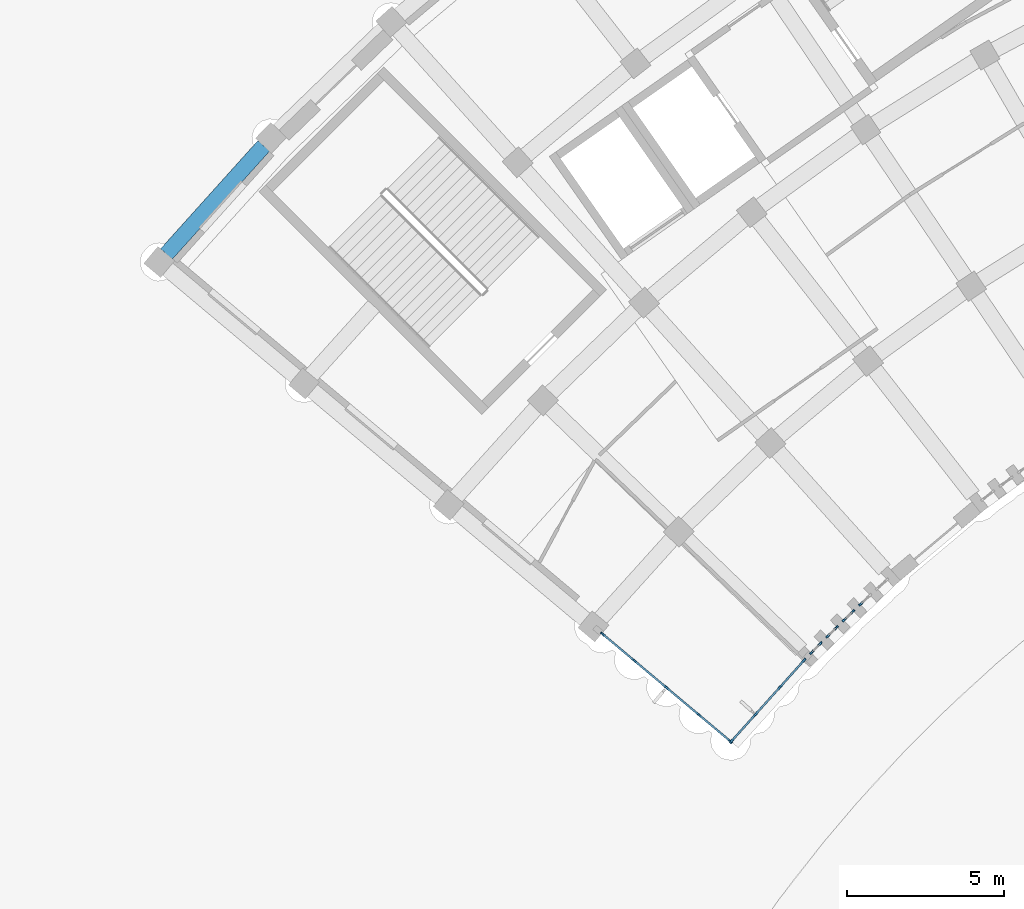
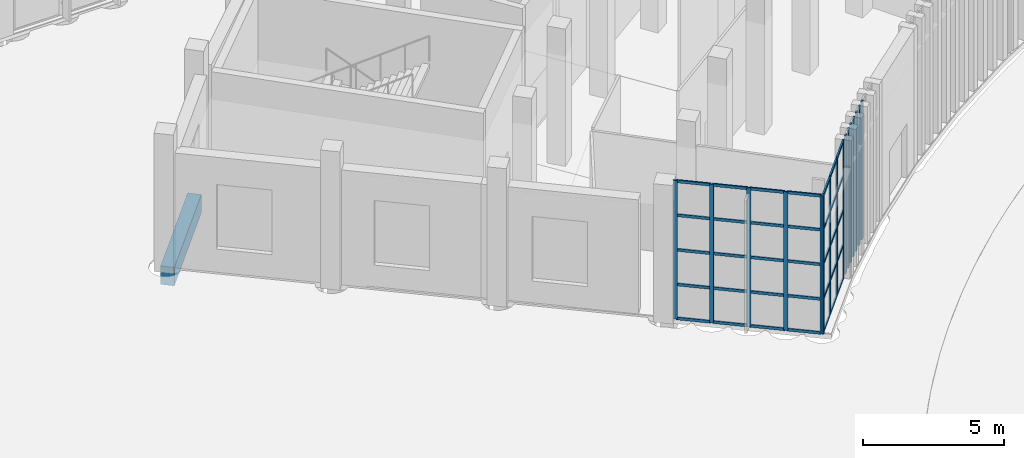
# One storey, part 21 of 155: 51 members, 1 beam, 6 elements without a shape of their own.
"""IFC4 building model written with IfcOpenShell, lengths in metres."""

from ifc_helpers import new_model, si_unit, direction, frame, origin, origin_2d, place, context, subcontext, project, spatial, rectangle, extrude, material, layer, layer_set, material_profile, profile_set, type_object, element, aggregate, save


model = new_model("IFC4")

# Units and contexts
model_context = context("Model", 3, precision=1e-05, world=origin(), true_north=direction((0.0, 1.0)))
body_context = subcontext(model_context, "Body", "Model", "MODEL_VIEW")
ifc_project = project(units=[si_unit("LENGTHUNIT", "METRE"), si_unit("AREAUNIT", "SQUARE_METRE"), si_unit("VOLUMEUNIT", "CUBIC_METRE"), si_unit("PLANEANGLEUNIT", "RADIAN"), si_unit("MASSUNIT", "GRAM", prefix="KILO")], contexts=[model_context])

# Site, building, storey
site_placement = place(None, origin())
site = spatial("IfcSite", under=ifc_project, at=site_placement, CompositionType="ELEMENT")
building_placement = place(site_placement, origin())
building = spatial("IfcBuilding", under=site, at=building_placement, Name="Lunette Opera House", CompositionType="ELEMENT")
storey_placement = place(building_placement, origin())
storey = spatial("IfcBuildingStorey", under=building, at=storey_placement, Name="L00", CompositionType="ELEMENT", Elevation=0.0)

# Curtain wall, members
ifc_material_1 = material(Name="Aluminium", Category="aluminium")
ifc_layer_1 = layer(ifc_material_1, 0.1201171875)
ifc_layer_set_1 = layer_set([ifc_layer_1], Name="Aluminium")
curtain_wall_type_1 = type_object("IfcCurtainWallType", Name="SLOT CURTAIN WALL", PredefinedType="NOTDEFINED", material=ifc_layer_set_1)
curtain_wall_1_placement = place(storey_placement, origin())
curtain_wall_1 = element("IfcCurtainWall", 1, at=curtain_wall_1_placement, inside=storey, type_object=curtain_wall_type_1, Name="Slot Curtain Wall CS001 L00", PredefinedType="NOTDEFINED")
ifc_material_2 = material(Name="Aluminium", Category="aluminium")
ifc_material_profile_1 = material_profile(ifc_material_2, rectangle(XDim=0.06005859375, YDim=0.159912109375, at=origin_2d()), Name="MULLION 60 X 160")
ifc_profile_set_1 = profile_set([ifc_material_profile_1], Name="Aluminium")
member_type_1 = type_object("IfcMemberType", Name="MULLION 60 X 160", PredefinedType="MULLION", material=ifc_profile_set_1)
member_1_placement = place(storey_placement, frame((58.50390625, 36.45947265625, 0.0), z_axis=(0.0, 0.0, 1.0), x_axis=(-0.715187202406, 0.698932947796, 0.0)))
member_1 = element("IfcMember", 2, at=member_1_placement, type_object=member_type_1, Name="FC-X2001 mullion 1", PredefinedType="MULLION", context=body_context, shape_type="SweptSolid", body=[
    extrude(rectangle(XDim=0.06005859375, YDim=0.159912109375, at=origin_2d()), origin(), (0.0, 0.0, 1.0), 6.0),
])
member_2_placement = place(storey_placement, frame((58.762939453125, 36.724609375, 0.0), z_axis=(0.0, 0.0, 1.0), x_axis=(-0.715187202406, 0.698932947796, 0.0)))
member_2 = element("IfcMember", 3, at=member_2_placement, type_object=member_type_1, Name="FC-X2001 mullion 2", PredefinedType="MULLION", context=body_context, shape_type="SweptSolid", body=[
    extrude(rectangle(XDim=0.06005859375, YDim=0.159912109375, at=origin_2d()), origin(), (0.0, 0.0, 1.0), 6.0),
])
aggregate(curtain_wall_1, [member_1, member_2])

curtain_wall_2_placement = place(storey_placement, origin())
curtain_wall_2 = element("IfcCurtainWall", 4, at=curtain_wall_2_placement, inside=storey, type_object=curtain_wall_type_1, Name="Slot Curtain Wall CS002 L00", PredefinedType="NOTDEFINED")
member_3_placement = place(storey_placement, frame((59.016357421875, 36.980224609375, 0.0), z_axis=(0.0, 0.0, 1.0), x_axis=(-0.703614959454, 0.710581444194, 0.0)))
member_3 = element("IfcMember", 5, at=member_3_placement, type_object=member_type_1, Name="FC-X2003 mullion 1", PredefinedType="MULLION", context=body_context, shape_type="SweptSolid", body=[
    extrude(rectangle(XDim=0.06005859375, YDim=0.159912109375, at=origin_2d()), origin(), (0.0, 0.0, 1.0), 6.0),
])
member_4_placement = place(storey_placement, frame((59.27978515625, 37.240966796875, 0.0), z_axis=(0.0, 0.0, 1.0), x_axis=(-0.703614959454, 0.710581444194, 0.0)))
member_4 = element("IfcMember", 6, at=member_4_placement, type_object=member_type_1, Name="FC-X2003 mullion 2", PredefinedType="MULLION", context=body_context, shape_type="SweptSolid", body=[
    extrude(rectangle(XDim=0.06005859375, YDim=0.159912109375, at=origin_2d()), origin(), (0.0, 0.0, 1.0), 6.0),
])
aggregate(curtain_wall_2, [member_3, member_4])

curtain_wall_3_placement = place(storey_placement, origin())
curtain_wall_3 = element("IfcCurtainWall", 7, at=curtain_wall_3_placement, inside=storey, type_object=curtain_wall_type_1, Name="Slot Curtain Wall CS003 L00", PredefinedType="NOTDEFINED")
member_5_placement = place(storey_placement, frame((59.53662109375, 37.492919921875, 0.0), z_axis=(0.0, 0.0, 1.0), x_axis=(-0.695382685751, 0.718639631775, 0.0)))
member_5 = element("IfcMember", 8, at=member_5_placement, type_object=member_type_1, Name="FC-X2005 mullion 1", PredefinedType="MULLION", context=body_context, shape_type="SweptSolid", body=[
    extrude(rectangle(XDim=0.06005859375, YDim=0.159912109375, at=origin_2d()), origin(), (0.0, 0.0, 1.0), 6.0),
])
member_6_placement = place(storey_placement, frame((59.802490234375, 37.750244140625, 0.0), z_axis=(0.0, 0.0, 1.0), x_axis=(-0.695382685751, 0.718639631775, 0.0)))
member_6 = element("IfcMember", 9, at=member_6_placement, type_object=member_type_1, Name="FC-X2005 mullion 2", PredefinedType="MULLION", context=body_context, shape_type="SweptSolid", body=[
    extrude(rectangle(XDim=0.06005859375, YDim=0.159912109375, at=origin_2d()), origin(), (0.0, 0.0, 1.0), 6.0),
])
aggregate(curtain_wall_3, [member_5, member_6])

# Curtain wall, member
curtain_wall_4_placement = place(storey_placement, origin())
curtain_wall_4 = element("IfcCurtainWall", 10, at=curtain_wall_4_placement, inside=storey, type_object=curtain_wall_type_1, Name="Slot Curtain Wall CS004 L00", PredefinedType="NOTDEFINED")
member_7_placement = place(storey_placement, frame((60.063720703125, 37.99755859375, 0.0), z_axis=(0.0, 0.0, 1.0), x_axis=(-0.685872190933, 0.727722019527, 0.0)))
member_7 = element("IfcMember", 11, at=member_7_placement, type_object=member_type_1, Name="FC-X2007 mullion 1", PredefinedType="MULLION", context=body_context, shape_type="SweptSolid", body=[
    extrude(rectangle(XDim=0.06005859375, YDim=0.159912109375, at=origin_2d()), origin(), (0.0, 0.0, 1.0), 6.0),
])
aggregate(curtain_wall_4, [member_7])

# Curtain wall, members
ifc_material_3 = material(Name="Aluminium", Category="aluminium")
ifc_layer_2 = layer(ifc_material_3, 0.159912109375)
ifc_layer_set_2 = layer_set([ifc_layer_2], Name="Aluminium")
curtain_wall_type_2 = type_object("IfcCurtainWallType", Name="CORNER CURTAIN WALL", PredefinedType="NOTDEFINED", material=ifc_layer_set_2)
curtain_wall_5_placement = place(storey_placement, origin())
curtain_wall_5 = element("IfcCurtainWall", 12, at=curtain_wall_5_placement, inside=storey, type_object=curtain_wall_type_2, Name="Corner Curtain Wall GC-W1 L00", PredefinedType="NOTDEFINED")
member_8_placement = place(storey_placement, frame((58.25390625, 36.20068359375, 0.0), z_axis=(0.0, 0.0, 1.0), x_axis=(0.744216793887, -0.667938143615, 0.0)))
member_8 = element("IfcMember", 13, at=member_8_placement, type_object=member_type_1, Name="FC-X2161 mullion 1", PredefinedType="MULLION", context=body_context, shape_type="SweptSolid", body=[
    extrude(rectangle(XDim=0.06005859375, YDim=0.159912109375, at=origin_2d()), origin(), (0.0, 0.0, 1.0), 6.0),
])
member_9_placement = place(storey_placement, frame((57.49462890625, 35.354736328125, 0.0), z_axis=(0.0, 0.0, 1.0), x_axis=(0.744216793887, -0.667938143615, 0.0)))
member_9 = element("IfcMember", 14, at=member_9_placement, type_object=member_type_1, Name="FC-X2161 mullion 2", PredefinedType="MULLION", context=body_context, shape_type="SweptSolid", body=[
    extrude(rectangle(XDim=0.06005859375, YDim=0.159912109375, at=origin_2d()), origin(), (0.0, 0.0, 1.0), 6.0),
])
member_10_placement = place(storey_placement, frame((56.71533203125, 34.486328125, 0.0), z_axis=(0.0, 0.0, 1.0), x_axis=(0.744216793887, -0.667938143615, 0.0)))
member_10 = element("IfcMember", 15, at=member_10_placement, type_object=member_type_1, Name="FC-X2161 mullion 3", PredefinedType="MULLION", context=body_context, shape_type="SweptSolid", body=[
    extrude(rectangle(XDim=0.06005859375, YDim=0.159912109375, at=origin_2d()), origin(), (0.0, 0.0, 1.0), 6.0),
])
member_11_placement = place(storey_placement, frame((55.9560546875, 33.640380859375, 0.0), z_axis=(0.0, 0.0, 1.0), x_axis=(0.744216793887, -0.667938143615, 0.0)))
member_11 = element("IfcMember", 16, at=member_11_placement, type_object=member_type_1, Name="FC-X2161 mullion 4", PredefinedType="MULLION", context=body_context, shape_type="SweptSolid", body=[
    extrude(rectangle(XDim=0.06005859375, YDim=0.159912109375, at=origin_2d()), origin(), (0.0, 0.0, 1.0), 6.0),
])

curtain_wall_6_placement = place(storey_placement, origin())
curtain_wall_6 = element("IfcCurtainWall", 17, at=curtain_wall_6_placement, inside=storey, type_object=curtain_wall_type_2, Name="Corner Curtain Wall GC-W2 L00", PredefinedType="NOTDEFINED")
member_12_placement = place(storey_placement, frame((55.9130859375, 33.63720703125, 0.0), z_axis=(0.0, 0.0, 1.0), x_axis=(-0.64282816277, -0.766010413212, 0.0)))
member_12 = element("IfcMember", 18, at=member_12_placement, type_object=member_type_1, Name="FC-X2162 mullion 1", PredefinedType="MULLION", context=body_context, shape_type="SweptSolid", body=[
    extrude(rectangle(XDim=0.06005859375, YDim=0.159912109375, at=origin_2d()), origin(), (0.0, 0.0, 1.0), 6.0),
])
member_13_placement = place(storey_placement, frame((54.91162109375, 34.477783203125, 0.0), z_axis=(0.0, 0.0, 1.0), x_axis=(-0.64282816277, -0.766010413212, 0.0)))
member_13 = element("IfcMember", 19, at=member_13_placement, type_object=member_type_1, Name="FC-X2162 mullion 2", PredefinedType="MULLION", context=body_context, shape_type="SweptSolid", body=[
    extrude(rectangle(XDim=0.06005859375, YDim=0.159912109375, at=origin_2d()), origin(), (0.0, 0.0, 1.0), 6.0),
])
member_14_placement = place(storey_placement, frame((53.886962890625, 35.33740234375, 0.0), z_axis=(0.0, 0.0, 1.0), x_axis=(-0.64282816277, -0.766010413212, 0.0)))
member_14 = element("IfcMember", 20, at=member_14_placement, type_object=member_type_1, Name="FC-X2162 mullion 3", PredefinedType="MULLION", context=body_context, shape_type="SweptSolid", body=[
    extrude(rectangle(XDim=0.06005859375, YDim=0.159912109375, at=origin_2d()), origin(), (0.0, 0.0, 1.0), 6.0),
])
member_15_placement = place(storey_placement, frame((52.862548828125, 36.197265625, 0.0), z_axis=(0.0, 0.0, 1.0), x_axis=(-0.64282816277, -0.766010413212, 0.0)))
member_15 = element("IfcMember", 21, at=member_15_placement, type_object=member_type_1, Name="FC-X2162 mullion 4", PredefinedType="MULLION", context=body_context, shape_type="SweptSolid", body=[
    extrude(rectangle(XDim=0.06005859375, YDim=0.159912109375, at=origin_2d()), origin(), (0.0, 0.0, 1.0), 6.0),
])
member_16_placement = place(storey_placement, frame((51.861083984375, 37.03759765625, 0.0), z_axis=(0.0, 0.0, 1.0), x_axis=(-0.64282816277, -0.766010413212, 0.0)))
member_16 = element("IfcMember", 22, at=member_16_placement, type_object=member_type_1, Name="FC-X2162 mullion 5", PredefinedType="MULLION", context=body_context, shape_type="SweptSolid", body=[
    extrude(rectangle(XDim=0.06005859375, YDim=0.159912109375, at=origin_2d()), origin(), (0.0, 0.0, 1.0), 6.0),
])

# Beam
ifc_material_4 = material(Name="Concrete C35/45", Category="concrete")
ifc_material_profile_2 = material_profile(ifc_material_4, rectangle(XDim=0.5, YDim=0.800048828125, at=origin_2d()), Name="RC BEAM 500X800")
ifc_profile_set_2 = profile_set([ifc_material_profile_2], Name="Concrete C35/45")
beam_type = type_object("IfcBeamType", Name="RC BEAM 500X800", PredefinedType="BEAM", material=ifc_profile_set_2)
beam_placement = place(storey_placement, frame((38.009033203125, 49.10498046875, -0.6201171875), z_axis=(0.669034751379, 0.743231122496, 0.0), x_axis=(-0.743231122496, 0.669034751379, 0.0)))
element("IfcBeam", 23, at=beam_placement, inside=storey, type_object=beam_type, Name="beam-FC-L00-L00-RG-AR-C-RL-01", PredefinedType="BEAM", context=body_context, shape_type="SweptSolid", body=[
    extrude(rectangle(XDim=0.5, YDim=0.800048828125, at=origin_2d()), origin(), (0.0, 0.0, 1.0), 4.623046875),
])

# Member
ifc_material_5 = material(Name="Aluminium", Category="aluminium")
ifc_material_profile_3 = material_profile(ifc_material_5, rectangle(XDim=0.06005859375, YDim=0.1201171875, at=origin_2d()), Name="TRANSOM 60 X 120")
ifc_profile_set_3 = profile_set([ifc_material_profile_3], Name="Aluminium")
member_type_2 = type_object("IfcMemberType", Name="TRANSOM 60 X 120", PredefinedType="USERDEFINED", material=ifc_profile_set_3)
member_17_placement = place(storey_placement, frame((58.23388671875, 36.178466796875, 0.030029296875), z_axis=(-0.667874323451, -0.744274067851, 0.0), x_axis=(0.744274067851, -0.667874323451, 0.0)))
member_17 = element("IfcMember", 24, at=member_17_placement, type_object=member_type_2, Name="FC-X2161 transom 1.1", ObjectType="TRANSOM", PredefinedType="USERDEFINED", context=body_context, shape_type="SweptSolid", body=[
    extrude(rectangle(XDim=0.06005859375, YDim=0.1201171875, at=origin_2d()), origin(), (0.0, 0.0, 1.0), 1.076904296875),
])

member_18_placement = place(storey_placement, frame((58.23388671875, 36.178466796875, 1.5), z_axis=(-0.667874323451, -0.744274067851, 0.0), x_axis=(0.744274067851, -0.667874323451, 0.0)))
member_18 = element("IfcMember", 25, at=member_18_placement, type_object=member_type_2, Name="FC-X2161 transom 1.2", ObjectType="TRANSOM", PredefinedType="USERDEFINED", context=body_context, shape_type="SweptSolid", body=[
    extrude(rectangle(XDim=0.06005859375, YDim=0.1201171875, at=origin_2d()), origin(), (0.0, 0.0, 1.0), 1.076904296875),
])

member_19_placement = place(storey_placement, frame((58.23388671875, 36.178466796875, 3.0), z_axis=(-0.667874323451, -0.744274067851, 0.0), x_axis=(0.744274067851, -0.667874323451, 0.0)))
member_19 = element("IfcMember", 26, at=member_19_placement, type_object=member_type_2, Name="FC-X2161 transom 1.3", ObjectType="TRANSOM", PredefinedType="USERDEFINED", context=body_context, shape_type="SweptSolid", body=[
    extrude(rectangle(XDim=0.06005859375, YDim=0.1201171875, at=origin_2d()), origin(), (0.0, 0.0, 1.0), 1.076904296875),
])

member_20_placement = place(storey_placement, frame((58.23388671875, 36.178466796875, 4.5), z_axis=(-0.667874323451, -0.744274067851, 0.0), x_axis=(0.744274067851, -0.667874323451, 0.0)))
member_20 = element("IfcMember", 27, at=member_20_placement, type_object=member_type_2, Name="FC-X2161 transom 1.4", ObjectType="TRANSOM", PredefinedType="USERDEFINED", context=body_context, shape_type="SweptSolid", body=[
    extrude(rectangle(XDim=0.06005859375, YDim=0.1201171875, at=origin_2d()), origin(), (0.0, 0.0, 1.0), 1.076904296875),
])

member_21_placement = place(storey_placement, frame((58.23388671875, 36.178466796875, 5.969970703125), z_axis=(-0.667874323451, -0.744274067851, 0.0), x_axis=(0.744274067851, -0.667874323451, 0.0)))
member_21 = element("IfcMember", 28, at=member_21_placement, type_object=member_type_2, Name="FC-X2161 transom 1.5", ObjectType="TRANSOM", PredefinedType="USERDEFINED", context=body_context, shape_type="SweptSolid", body=[
    extrude(rectangle(XDim=0.06005859375, YDim=0.1201171875, at=origin_2d()), origin(), (0.0, 0.0, 1.0), 1.076904296875),
])

member_22_placement = place(storey_placement, frame((57.474609375, 35.332275390625, 0.030029296875), z_axis=(-0.667916007316, -0.744236660728, 0.0), x_axis=(0.744236660728, -0.667916007316, 0.0)))
member_22 = element("IfcMember", 29, at=member_22_placement, type_object=member_type_2, Name="FC-X2161 transom 2.1", ObjectType="TRANSOM", PredefinedType="USERDEFINED", context=body_context, shape_type="SweptSolid", body=[
    extrude(rectangle(XDim=0.06005859375, YDim=0.1201171875, at=origin_2d()), origin(), (0.0, 0.0, 1.0), 1.10693359375),
])

member_23_placement = place(storey_placement, frame((57.474609375, 35.332275390625, 1.5), z_axis=(-0.667916007316, -0.744236660728, 0.0), x_axis=(0.744236660728, -0.667916007316, 0.0)))
member_23 = element("IfcMember", 30, at=member_23_placement, type_object=member_type_2, Name="FC-X2161 transom 2.2", ObjectType="TRANSOM", PredefinedType="USERDEFINED", context=body_context, shape_type="SweptSolid", body=[
    extrude(rectangle(XDim=0.06005859375, YDim=0.1201171875, at=origin_2d()), origin(), (0.0, 0.0, 1.0), 1.10693359375),
])

member_24_placement = place(storey_placement, frame((57.474609375, 35.332275390625, 3.0), z_axis=(-0.667916007316, -0.744236660728, 0.0), x_axis=(0.744236660728, -0.667916007316, 0.0)))
member_24 = element("IfcMember", 31, at=member_24_placement, type_object=member_type_2, Name="FC-X2161 transom 2.3", ObjectType="TRANSOM", PredefinedType="USERDEFINED", context=body_context, shape_type="SweptSolid", body=[
    extrude(rectangle(XDim=0.06005859375, YDim=0.1201171875, at=origin_2d()), origin(), (0.0, 0.0, 1.0), 1.10693359375),
])

member_25_placement = place(storey_placement, frame((57.474609375, 35.332275390625, 4.5), z_axis=(-0.667916007316, -0.744236660728, 0.0), x_axis=(0.744236660728, -0.667916007316, 0.0)))
member_25 = element("IfcMember", 32, at=member_25_placement, type_object=member_type_2, Name="FC-X2161 transom 2.4", ObjectType="TRANSOM", PredefinedType="USERDEFINED", context=body_context, shape_type="SweptSolid", body=[
    extrude(rectangle(XDim=0.06005859375, YDim=0.1201171875, at=origin_2d()), origin(), (0.0, 0.0, 1.0), 1.10693359375),
])

member_26_placement = place(storey_placement, frame((57.474609375, 35.332275390625, 5.969970703125), z_axis=(-0.667916007316, -0.744236660728, 0.0), x_axis=(0.744236660728, -0.667916007316, 0.0)))
member_26 = element("IfcMember", 33, at=member_26_placement, type_object=member_type_2, Name="FC-X2161 transom 2.5", ObjectType="TRANSOM", PredefinedType="USERDEFINED", context=body_context, shape_type="SweptSolid", body=[
    extrude(rectangle(XDim=0.06005859375, YDim=0.1201171875, at=origin_2d()), origin(), (0.0, 0.0, 1.0), 1.10693359375),
])

member_27_placement = place(storey_placement, frame((56.6953125, 34.464111328125, 0.030029296875), z_axis=(-0.667874323451, -0.744274067851, 0.0), x_axis=(0.744274067851, -0.667874323451, 0.0)))
member_27 = element("IfcMember", 34, at=member_27_placement, type_object=member_type_2, Name="FC-X2161 transom 3.1", ObjectType="TRANSOM", PredefinedType="USERDEFINED", context=body_context, shape_type="SweptSolid", body=[
    extrude(rectangle(XDim=0.06005859375, YDim=0.1201171875, at=origin_2d()), origin(), (0.0, 0.0, 1.0), 1.076904296875),
])

member_28_placement = place(storey_placement, frame((56.6953125, 34.464111328125, 1.5), z_axis=(-0.667874323451, -0.744274067851, 0.0), x_axis=(0.744274067851, -0.667874323451, 0.0)))
member_28 = element("IfcMember", 35, at=member_28_placement, type_object=member_type_2, Name="FC-X2161 transom 3.2", ObjectType="TRANSOM", PredefinedType="USERDEFINED", context=body_context, shape_type="SweptSolid", body=[
    extrude(rectangle(XDim=0.06005859375, YDim=0.1201171875, at=origin_2d()), origin(), (0.0, 0.0, 1.0), 1.076904296875),
])

member_29_placement = place(storey_placement, frame((56.6953125, 34.464111328125, 3.0), z_axis=(-0.667874323451, -0.744274067851, 0.0), x_axis=(0.744274067851, -0.667874323451, 0.0)))
member_29 = element("IfcMember", 36, at=member_29_placement, type_object=member_type_2, Name="FC-X2161 transom 3.3", ObjectType="TRANSOM", PredefinedType="USERDEFINED", context=body_context, shape_type="SweptSolid", body=[
    extrude(rectangle(XDim=0.06005859375, YDim=0.1201171875, at=origin_2d()), origin(), (0.0, 0.0, 1.0), 1.076904296875),
])

member_30_placement = place(storey_placement, frame((56.6953125, 34.464111328125, 4.5), z_axis=(-0.667874323451, -0.744274067851, 0.0), x_axis=(0.744274067851, -0.667874323451, 0.0)))
member_30 = element("IfcMember", 37, at=member_30_placement, type_object=member_type_2, Name="FC-X2161 transom 3.4", ObjectType="TRANSOM", PredefinedType="USERDEFINED", context=body_context, shape_type="SweptSolid", body=[
    extrude(rectangle(XDim=0.06005859375, YDim=0.1201171875, at=origin_2d()), origin(), (0.0, 0.0, 1.0), 1.076904296875),
])

member_31_placement = place(storey_placement, frame((56.6953125, 34.464111328125, 5.969970703125), z_axis=(-0.667874323451, -0.744274067851, 0.0), x_axis=(0.744274067851, -0.667874323451, 0.0)))
member_31 = element("IfcMember", 38, at=member_31_placement, type_object=member_type_2, Name="FC-X2161 transom 3.5", ObjectType="TRANSOM", PredefinedType="USERDEFINED", context=body_context, shape_type="SweptSolid", body=[
    extrude(rectangle(XDim=0.06005859375, YDim=0.1201171875, at=origin_2d()), origin(), (0.0, 0.0, 1.0), 1.076904296875),
])

aggregate(curtain_wall_5, [member_8, member_9, member_10, member_11, member_17, member_18, member_19, member_20, member_21, member_22, member_23, member_24, member_25, member_26, member_27, member_28, member_29, member_30, member_31])

member_32_placement = place(storey_placement, frame((55.89013671875, 33.656494140625, 0.030029296875), z_axis=(-0.765970812131, 0.642875349476, 0.0), x_axis=(-0.642875349476, -0.765970812131, 0.0)))
member_32 = element("IfcMember", 39, at=member_32_placement, type_object=member_type_2, Name="FC-X2162 transom 1.1", ObjectType="TRANSOM", PredefinedType="USERDEFINED", context=body_context, shape_type="SweptSolid", body=[
    extrude(rectangle(XDim=0.06005859375, YDim=0.1201171875, at=origin_2d()), origin(), (0.0, 0.0, 1.0), 1.24755859375),
])

member_33_placement = place(storey_placement, frame((55.89013671875, 33.656494140625, 1.5), z_axis=(-0.765970812131, 0.642875349476, 0.0), x_axis=(-0.642875349476, -0.765970812131, 0.0)))
member_33 = element("IfcMember", 40, at=member_33_placement, type_object=member_type_2, Name="FC-X2162 transom 1.2", ObjectType="TRANSOM", PredefinedType="USERDEFINED", context=body_context, shape_type="SweptSolid", body=[
    extrude(rectangle(XDim=0.06005859375, YDim=0.1201171875, at=origin_2d()), origin(), (0.0, 0.0, 1.0), 1.24755859375),
])

member_34_placement = place(storey_placement, frame((55.89013671875, 33.656494140625, 3.0), z_axis=(-0.765970812131, 0.642875349476, 0.0), x_axis=(-0.642875349476, -0.765970812131, 0.0)))
member_34 = element("IfcMember", 41, at=member_34_placement, type_object=member_type_2, Name="FC-X2162 transom 1.3", ObjectType="TRANSOM", PredefinedType="USERDEFINED", context=body_context, shape_type="SweptSolid", body=[
    extrude(rectangle(XDim=0.06005859375, YDim=0.1201171875, at=origin_2d()), origin(), (0.0, 0.0, 1.0), 1.24755859375),
])

member_35_placement = place(storey_placement, frame((55.89013671875, 33.656494140625, 4.5), z_axis=(-0.765970812131, 0.642875349476, 0.0), x_axis=(-0.642875349476, -0.765970812131, 0.0)))
member_35 = element("IfcMember", 42, at=member_35_placement, type_object=member_type_2, Name="FC-X2162 transom 1.4", ObjectType="TRANSOM", PredefinedType="USERDEFINED", context=body_context, shape_type="SweptSolid", body=[
    extrude(rectangle(XDim=0.06005859375, YDim=0.1201171875, at=origin_2d()), origin(), (0.0, 0.0, 1.0), 1.24755859375),
])

member_36_placement = place(storey_placement, frame((55.89013671875, 33.656494140625, 5.969970703125), z_axis=(-0.765970812131, 0.642875349476, 0.0), x_axis=(-0.642875349476, -0.765970812131, 0.0)))
member_36 = element("IfcMember", 43, at=member_36_placement, type_object=member_type_2, Name="FC-X2162 transom 1.5", ObjectType="TRANSOM", PredefinedType="USERDEFINED", context=body_context, shape_type="SweptSolid", body=[
    extrude(rectangle(XDim=0.06005859375, YDim=0.1201171875, at=origin_2d()), origin(), (0.0, 0.0, 1.0), 1.24755859375),
])

member_37_placement = place(storey_placement, frame((54.888427734375, 34.4970703125, 0.030029296875), z_axis=(-0.766054919939, 0.642775123692, 0.0), x_axis=(-0.642775123692, -0.766054919939, 0.0)))
member_37 = element("IfcMember", 44, at=member_37_placement, type_object=member_type_2, Name="FC-X2162 transom 2.1", ObjectType="TRANSOM", PredefinedType="USERDEFINED", context=body_context, shape_type="SweptSolid", body=[
    extrude(rectangle(XDim=0.06005859375, YDim=0.1201171875, at=origin_2d()), origin(), (0.0, 0.0, 1.0), 1.27734375),
])

member_38_placement = place(storey_placement, frame((54.888427734375, 34.4970703125, 1.5), z_axis=(-0.766054919939, 0.642775123692, 0.0), x_axis=(-0.642775123692, -0.766054919939, 0.0)))
member_38 = element("IfcMember", 45, at=member_38_placement, type_object=member_type_2, Name="FC-X2162 transom 2.2", ObjectType="TRANSOM", PredefinedType="USERDEFINED", context=body_context, shape_type="SweptSolid", body=[
    extrude(rectangle(XDim=0.06005859375, YDim=0.1201171875, at=origin_2d()), origin(), (0.0, 0.0, 1.0), 1.27734375),
])

member_39_placement = place(storey_placement, frame((54.888427734375, 34.4970703125, 3.0), z_axis=(-0.766054919939, 0.642775123692, 0.0), x_axis=(-0.642775123692, -0.766054919939, 0.0)))
member_39 = element("IfcMember", 46, at=member_39_placement, type_object=member_type_2, Name="FC-X2162 transom 2.3", ObjectType="TRANSOM", PredefinedType="USERDEFINED", context=body_context, shape_type="SweptSolid", body=[
    extrude(rectangle(XDim=0.06005859375, YDim=0.1201171875, at=origin_2d()), origin(), (0.0, 0.0, 1.0), 1.27734375),
])

member_40_placement = place(storey_placement, frame((54.888427734375, 34.4970703125, 4.5), z_axis=(-0.766054919939, 0.642775123692, 0.0), x_axis=(-0.642775123692, -0.766054919939, 0.0)))
member_40 = element("IfcMember", 47, at=member_40_placement, type_object=member_type_2, Name="FC-X2162 transom 2.4", ObjectType="TRANSOM", PredefinedType="USERDEFINED", context=body_context, shape_type="SweptSolid", body=[
    extrude(rectangle(XDim=0.06005859375, YDim=0.1201171875, at=origin_2d()), origin(), (0.0, 0.0, 1.0), 1.27734375),
])

member_41_placement = place(storey_placement, frame((54.888427734375, 34.4970703125, 5.969970703125), z_axis=(-0.766054919939, 0.642775123692, 0.0), x_axis=(-0.642775123692, -0.766054919939, 0.0)))
member_41 = element("IfcMember", 48, at=member_41_placement, type_object=member_type_2, Name="FC-X2162 transom 2.5", ObjectType="TRANSOM", PredefinedType="USERDEFINED", context=body_context, shape_type="SweptSolid", body=[
    extrude(rectangle(XDim=0.06005859375, YDim=0.1201171875, at=origin_2d()), origin(), (0.0, 0.0, 1.0), 1.27734375),
])

member_42_placement = place(storey_placement, frame((53.864013671875, 35.356689453125, 0.030029296875), z_axis=(-0.765960809958, 0.642887266641, 0.0), x_axis=(-0.642887266641, -0.765960809958, 0.0)))
member_42 = element("IfcMember", 49, at=member_42_placement, type_object=member_type_2, Name="FC-X2162 transom 3.1", ObjectType="TRANSOM", PredefinedType="USERDEFINED", context=body_context, shape_type="SweptSolid", body=[
    extrude(rectangle(XDim=0.06005859375, YDim=0.1201171875, at=origin_2d()), origin(), (0.0, 0.0, 1.0), 1.277587890625),
])

member_43_placement = place(storey_placement, frame((53.864013671875, 35.356689453125, 1.5), z_axis=(-0.765960809958, 0.642887266641, 0.0), x_axis=(-0.642887266641, -0.765960809958, 0.0)))
member_43 = element("IfcMember", 50, at=member_43_placement, type_object=member_type_2, Name="FC-X2162 transom 3.2", ObjectType="TRANSOM", PredefinedType="USERDEFINED", context=body_context, shape_type="SweptSolid", body=[
    extrude(rectangle(XDim=0.06005859375, YDim=0.1201171875, at=origin_2d()), origin(), (0.0, 0.0, 1.0), 1.277587890625),
])

member_44_placement = place(storey_placement, frame((53.864013671875, 35.356689453125, 3.0), z_axis=(-0.765960809958, 0.642887266641, 0.0), x_axis=(-0.642887266641, -0.765960809958, 0.0)))
member_44 = element("IfcMember", 51, at=member_44_placement, type_object=member_type_2, Name="FC-X2162 transom 3.3", ObjectType="TRANSOM", PredefinedType="USERDEFINED", context=body_context, shape_type="SweptSolid", body=[
    extrude(rectangle(XDim=0.06005859375, YDim=0.1201171875, at=origin_2d()), origin(), (0.0, 0.0, 1.0), 1.277587890625),
])

member_45_placement = place(storey_placement, frame((53.864013671875, 35.356689453125, 4.5), z_axis=(-0.765960809958, 0.642887266641, 0.0), x_axis=(-0.642887266641, -0.765960809958, 0.0)))
member_45 = element("IfcMember", 52, at=member_45_placement, type_object=member_type_2, Name="FC-X2162 transom 3.4", ObjectType="TRANSOM", PredefinedType="USERDEFINED", context=body_context, shape_type="SweptSolid", body=[
    extrude(rectangle(XDim=0.06005859375, YDim=0.1201171875, at=origin_2d()), origin(), (0.0, 0.0, 1.0), 1.277587890625),
])

member_46_placement = place(storey_placement, frame((53.864013671875, 35.356689453125, 5.969970703125), z_axis=(-0.765960809958, 0.642887266641, 0.0), x_axis=(-0.642887266641, -0.765960809958, 0.0)))
member_46 = element("IfcMember", 53, at=member_46_placement, type_object=member_type_2, Name="FC-X2162 transom 3.5", ObjectType="TRANSOM", PredefinedType="USERDEFINED", context=body_context, shape_type="SweptSolid", body=[
    extrude(rectangle(XDim=0.06005859375, YDim=0.1201171875, at=origin_2d()), origin(), (0.0, 0.0, 1.0), 1.277587890625),
])

member_47_placement = place(storey_placement, frame((52.839599609375, 36.216552734375, 0.030029296875), z_axis=(-0.766067183103, 0.642760508255, 0.0), x_axis=(-0.642760508255, -0.766067183103, 0.0)))
member_47 = element("IfcMember", 54, at=member_47_placement, type_object=member_type_2, Name="FC-X2162 transom 4.1", ObjectType="TRANSOM", PredefinedType="USERDEFINED", context=body_context, shape_type="SweptSolid", body=[
    extrude(rectangle(XDim=0.06005859375, YDim=0.1201171875, at=origin_2d()), origin(), (0.0, 0.0, 1.0), 1.247314453125),
])

member_48_placement = place(storey_placement, frame((52.839599609375, 36.216552734375, 1.5), z_axis=(-0.766067183103, 0.642760508255, 0.0), x_axis=(-0.642760508255, -0.766067183103, 0.0)))
member_48 = element("IfcMember", 55, at=member_48_placement, type_object=member_type_2, Name="FC-X2162 transom 4.2", ObjectType="TRANSOM", PredefinedType="USERDEFINED", context=body_context, shape_type="SweptSolid", body=[
    extrude(rectangle(XDim=0.06005859375, YDim=0.1201171875, at=origin_2d()), origin(), (0.0, 0.0, 1.0), 1.247314453125),
])

member_49_placement = place(storey_placement, frame((52.839599609375, 36.216552734375, 3.0), z_axis=(-0.766067183103, 0.642760508255, 0.0), x_axis=(-0.642760508255, -0.766067183103, 0.0)))
member_49 = element("IfcMember", 56, at=member_49_placement, type_object=member_type_2, Name="FC-X2162 transom 4.3", ObjectType="TRANSOM", PredefinedType="USERDEFINED", context=body_context, shape_type="SweptSolid", body=[
    extrude(rectangle(XDim=0.06005859375, YDim=0.1201171875, at=origin_2d()), origin(), (0.0, 0.0, 1.0), 1.247314453125),
])

member_50_placement = place(storey_placement, frame((52.839599609375, 36.216552734375, 4.5), z_axis=(-0.766067183103, 0.642760508255, 0.0), x_axis=(-0.642760508255, -0.766067183103, 0.0)))
member_50 = element("IfcMember", 57, at=member_50_placement, type_object=member_type_2, Name="FC-X2162 transom 4.4", ObjectType="TRANSOM", PredefinedType="USERDEFINED", context=body_context, shape_type="SweptSolid", body=[
    extrude(rectangle(XDim=0.06005859375, YDim=0.1201171875, at=origin_2d()), origin(), (0.0, 0.0, 1.0), 1.247314453125),
])

member_51_placement = place(storey_placement, frame((52.839599609375, 36.216552734375, 5.969970703125), z_axis=(-0.766067183103, 0.642760508255, 0.0), x_axis=(-0.642760508255, -0.766067183103, 0.0)))
member_51 = element("IfcMember", 58, at=member_51_placement, type_object=member_type_2, Name="FC-X2162 transom 4.5", ObjectType="TRANSOM", PredefinedType="USERDEFINED", context=body_context, shape_type="SweptSolid", body=[
    extrude(rectangle(XDim=0.06005859375, YDim=0.1201171875, at=origin_2d()), origin(), (0.0, 0.0, 1.0), 1.247314453125),
])

aggregate(curtain_wall_6, [member_12, member_13, member_14, member_15, member_16, member_32, member_33, member_34, member_35, member_36, member_37, member_38, member_39, member_40, member_41, member_42, member_43, member_44, member_45, member_46, member_47, member_48, member_49, member_50, member_51])

save(model, "model.ifc")
